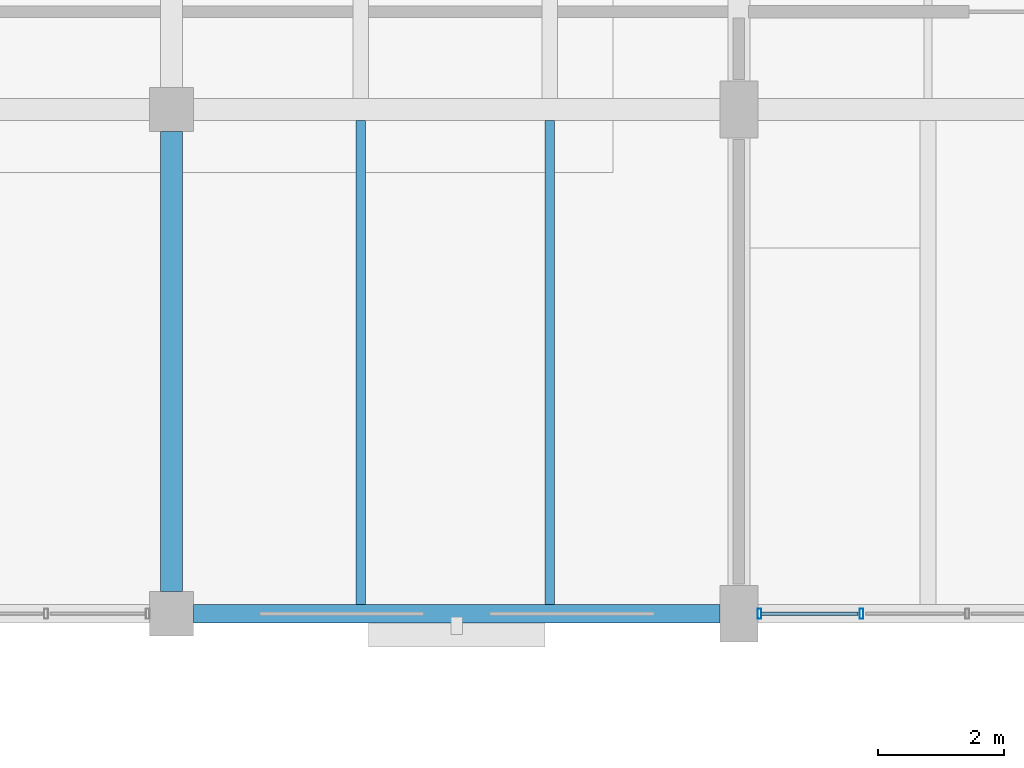
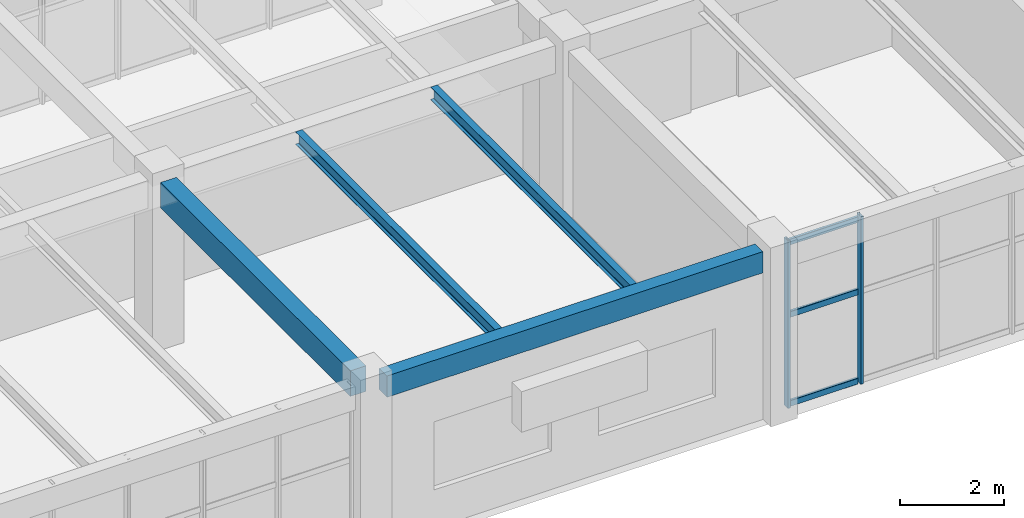
# One storey, part 66 of 128: 5 members, 4 beams, 1 element without a shape of its own.
"""IFC4 building model written with IfcOpenShell, lengths in metres."""

from ifc_helpers import new_model, si_unit, derived_unit, direction, frame, origin, origin_2d, place, context, subcontext, project, spatial, rectangle, hollow_rectangle, i_section, extrude, material, material_profile, profile_set, type_object, element, aggregate, save


model = new_model("IFC4")

# Units and contexts
model_context = context("Model", 3, precision=1e-05, world=origin(), true_north=direction((0.0, 1.0)))
body_context = subcontext(model_context, "Body", "Model", "MODEL_VIEW")
ifc_project = project(units=[si_unit("LENGTHUNIT", "METRE"), si_unit("AREAUNIT", "SQUARE_METRE"), si_unit("VOLUMEUNIT", "CUBIC_METRE"), si_unit("PLANEANGLEUNIT", "RADIAN"), si_unit("MASSUNIT", "GRAM", prefix="KILO"), derived_unit("THERMALTRANSMITTANCEUNIT", [(si_unit("MASSUNIT", "GRAM", prefix="KILO"), 1), (si_unit("TIMEUNIT", "SECOND"), -3), (si_unit("THERMODYNAMICTEMPERATUREUNIT", "KELVIN"), -1)])], contexts=[model_context])

# Site, building, storey
site_placement = place(None, origin())
site = spatial("IfcSite", under=ifc_project, at=site_placement, CompositionType="ELEMENT")
building_placement = place(site_placement, origin())
building = spatial("IfcBuilding", under=site, at=building_placement, Name="Zhenchuan Archway Interchange", CompositionType="ELEMENT")
storey_placement = place(building_placement, frame((0.0, 0.0, 14.39990234375)))
storey = spatial("IfcBuildingStorey", under=building, at=storey_placement, Name="L03", CompositionType="ELEMENT", Elevation=14.39990234375)

# Beam
ifc_material_1 = material(Name="Concrete C40", Category="concrete")
ifc_material_profile_1 = material_profile(ifc_material_1, rectangle(XDim=0.35009765625, YDim=0.60009765625, at=origin_2d()), Name="RC 350x600")
ifc_profile_set_1 = profile_set([ifc_material_profile_1], Name="Concrete C40")
beam_type_1 = type_object("IfcBeamType", Name="BM_RC_350x600", PredefinedType="BEAM", material=ifc_profile_set_1)
beam_1_placement = place(storey_placement, frame((135.0, 8.35009765625, 3.64013671875), z_axis=(0.0, 1.0, 0.0), x_axis=(-1.0, 0.0, 0.0)))
element("IfcBeam", 1, at=beam_1_placement, inside=storey, type_object=beam_type_1, Name="Beam 16:B-C (L03)", PredefinedType="BEAM", context=body_context, shape_type="SweptSolid", body=[
    extrude(rectangle(XDim=0.35009765625, YDim=0.60009765625, at=origin_2d()), origin(), (0.0, 0.0, 1.0), 7.2998046875),
])

# Curtain wall, members
ifc_material_2 = material(Name="Anodised Aluminium", Category="aluminium")
curtain_wall_type = type_object("IfcCurtainWallType", Name="CW_UNIT_1", PredefinedType="NOTDEFINED", material=ifc_material_2)
curtain_wall_placement = place(storey_placement, origin())
curtain_wall = element("IfcCurtainWall", 2, at=curtain_wall_placement, inside=storey, type_object=curtain_wall_type, Name="Unitised curtain wall CW:L03:184", PredefinedType="NOTDEFINED")
ifc_material_profile_2 = material_profile(ifc_material_2, hollow_rectangle(XDim=0.06005859375, YDim=0.159912109375, WallThickness=0.00390625, InnerFilletRadius=0.00390625, OuterFilletRadius=0.008056640625, at=origin_2d()), Name="ALU 160x60x4")
ifc_profile_set_2 = profile_set([ifc_material_profile_2], Name="Anodised Aluminium")
member_type_1 = type_object("IfcMemberType", Name="CW_MUL_150", PredefinedType="MULLION", material=ifc_profile_set_2)
member_1_placement = place(storey_placement, frame((145.94580078125, 8.0, 0.0), z_axis=(0.0, 0.0, 1.0), x_axis=(1.0, 0.0, 0.0)))
member_1 = element("IfcMember", 3, at=member_1_placement, type_object=member_type_1, Name="CW:L03:184 mullion 4", PredefinedType="MULLION", context=body_context, shape_type="SweptSolid", body=[
    extrude(hollow_rectangle(XDim=0.06005859375, YDim=0.159912109375, WallThickness=0.00390625, InnerFilletRadius=0.00390625, OuterFilletRadius=0.008056640625, at=origin_2d()), origin(), (0.0, 0.0, 1.0), 3.93017578125),
])
member_2_placement = place(storey_placement, frame((144.327880859375, 8.0, 0.0), z_axis=(0.0, 0.0, 1.0), x_axis=(1.0, 0.0, 0.0)))
member_2 = element("IfcMember", 4, at=member_2_placement, type_object=member_type_1, Name="CW:L03:184 mullion 5", PredefinedType="MULLION", context=body_context, shape_type="SweptSolid", body=[
    extrude(hollow_rectangle(XDim=0.06005859375, YDim=0.159912109375, WallThickness=0.00390625, InnerFilletRadius=0.00390625, OuterFilletRadius=0.008056640625, at=origin_2d()), origin(), (0.0, 0.0, 1.0), 3.93017578125),
])
ifc_material_profile_3 = material_profile(ifc_material_2, hollow_rectangle(XDim=0.06005859375, YDim=0.139892578125, WallThickness=0.00341796875, InnerFilletRadius=0.00341796875, OuterFilletRadius=0.007080078125, at=origin_2d()), Name="ALU 140x60x3.5")
ifc_profile_set_3 = profile_set([ifc_material_profile_3], Name="Anodised Aluminium")
member_type_2 = type_object("IfcMemberType", Name="CW_TRN_140", PredefinedType="USERDEFINED", material=ifc_profile_set_3)
member_3_placement = place(storey_placement, frame((145.8857421875, 8.0, 0.06005859375), z_axis=(-1.0, 0.0, 0.0), x_axis=(0.0, -1.0, 0.0)))
member_3 = element("IfcMember", 5, at=member_3_placement, type_object=member_type_2, Name="CW:L03:184 transom 4-1", ObjectType="TRANSOM", PredefinedType="USERDEFINED", context=body_context, shape_type="SweptSolid", body=[
    extrude(hollow_rectangle(XDim=0.06005859375, YDim=0.139892578125, WallThickness=0.00341796875, InnerFilletRadius=0.00341796875, OuterFilletRadius=0.007080078125, at=origin_2d()), origin(), (0.0, 0.0, 1.0), 1.537841796875),
])
member_4_placement = place(storey_placement, frame((145.8857421875, 8.0, 2.150634765625), z_axis=(-1.0, 0.0, 0.0), x_axis=(0.0, -1.0, 0.0)))
member_4 = element("IfcMember", 6, at=member_4_placement, type_object=member_type_2, Name="CW:L03:184 transom 4-2", ObjectType="TRANSOM", PredefinedType="USERDEFINED", context=body_context, shape_type="SweptSolid", body=[
    extrude(hollow_rectangle(XDim=0.06005859375, YDim=0.139892578125, WallThickness=0.00341796875, InnerFilletRadius=0.00341796875, OuterFilletRadius=0.007080078125, at=origin_2d()), origin(), (0.0, 0.0, 1.0), 1.537841796875),
])
member_5_placement = place(storey_placement, frame((145.8857421875, 8.0, 3.85009765625), z_axis=(-1.0, 0.0, 0.0), x_axis=(0.0, -1.0, 0.0)))
member_5 = element("IfcMember", 7, at=member_5_placement, type_object=member_type_2, Name="CW:L03:184 transom 4-3", ObjectType="TRANSOM", PredefinedType="USERDEFINED", context=body_context, shape_type="SweptSolid", body=[
    extrude(hollow_rectangle(XDim=0.06005859375, YDim=0.139892578125, WallThickness=0.00341796875, InnerFilletRadius=0.00341796875, OuterFilletRadius=0.007080078125, at=origin_2d()), origin(), (0.0, 0.0, 1.0), 1.537841796875),
])
aggregate(curtain_wall, [member_1, member_2, member_3, member_4, member_5])

# Beams
ifc_material_3 = material(Name="Steel Q355", Category="steel")
ifc_material_profile_4 = material_profile(ifc_material_3, i_section(OverallWidth=0.14990234375, OverallDepth=0.300048828125, WebThickness=0.006591796875, FlangeThickness=0.009033203125, FilletRadius=0.012939453125, at=origin_2d()), Name="HN 300x150")
ifc_profile_set_4 = profile_set([ifc_material_profile_4], Name="Steel Q355")
beam_type_2 = type_object("IfcBeamType", Name="JST_STL_HN300", PredefinedType="JOIST", material=ifc_profile_set_4)
for number, where, z_axis, x_axis, name in (
    (8, (138.0, 8.14990234375, 3.7900390625), (0.0, 1.0, 0.0), (-1.0, 0.0, 0.0), "Secondary joist 16-17/B-C #1 (L03)"),
    (9, (141.0, 8.14990234375, 3.7900390625), (0.0, 1.0, 0.0), (-1.0, 0.0, 0.0), "Secondary joist 16-17/B-C #2 (L03)"),
):
    element("IfcBeam", number, at=place(storey_placement, frame(where, z_axis=z_axis, x_axis=x_axis)), inside=storey, type_object=beam_type_2, Name=name, PredefinedType="JOIST", context=body_context, shape_type="SweptSolid", body=[
        extrude(i_section(OverallWidth=0.14990234375, OverallDepth=0.300048828125, WebThickness=0.006591796875, FlangeThickness=0.009033203125, FilletRadius=0.012939453125, at=origin_2d()), origin(), (0.0, 0.0, 1.0), 7.675048828125),
    ])
ifc_material_profile_5 = material_profile(ifc_material_1, rectangle(XDim=0.300048828125, YDim=0.5, at=origin_2d()), Name="RC 300x500")
ifc_profile_set_5 = profile_set([ifc_material_profile_5], Name="Concrete C40")
beam_type_3 = type_object("IfcBeamType", Name="SP_RC_300x500", PredefinedType="SPANDREL", material=ifc_profile_set_5)
beam_2_placement = place(storey_placement, frame((135.35009765625, 8.0, 3.690185546875), z_axis=(1.0, 0.0, 0.0), x_axis=(0.0, 1.0, 0.0)))
element("IfcBeam", 10, at=beam_2_placement, inside=storey, type_object=beam_type_3, Name="Beam B:16-17 (L03)", PredefinedType="SPANDREL", context=body_context, shape_type="SweptSolid", body=[
    extrude(rectangle(XDim=0.300048828125, YDim=0.5, at=origin_2d()), origin(), (0.0, 0.0, 1.0), 8.349853515625),
])

save(model, "model.ifc")
